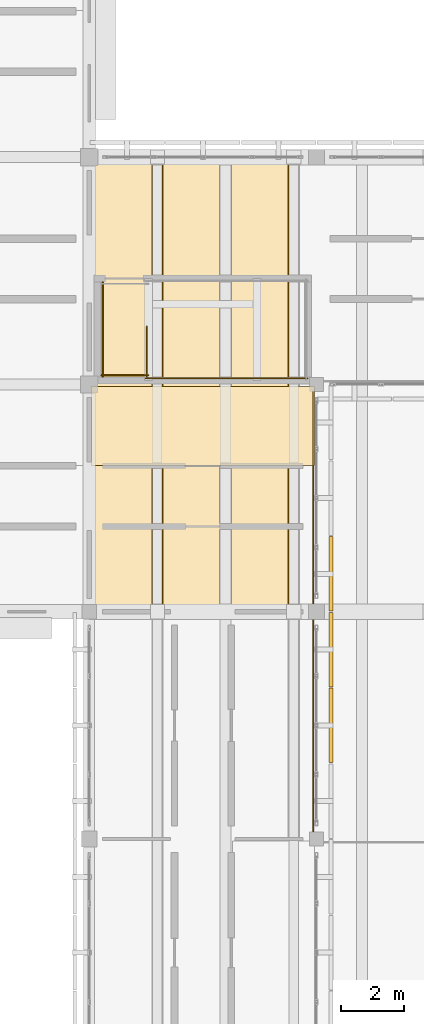
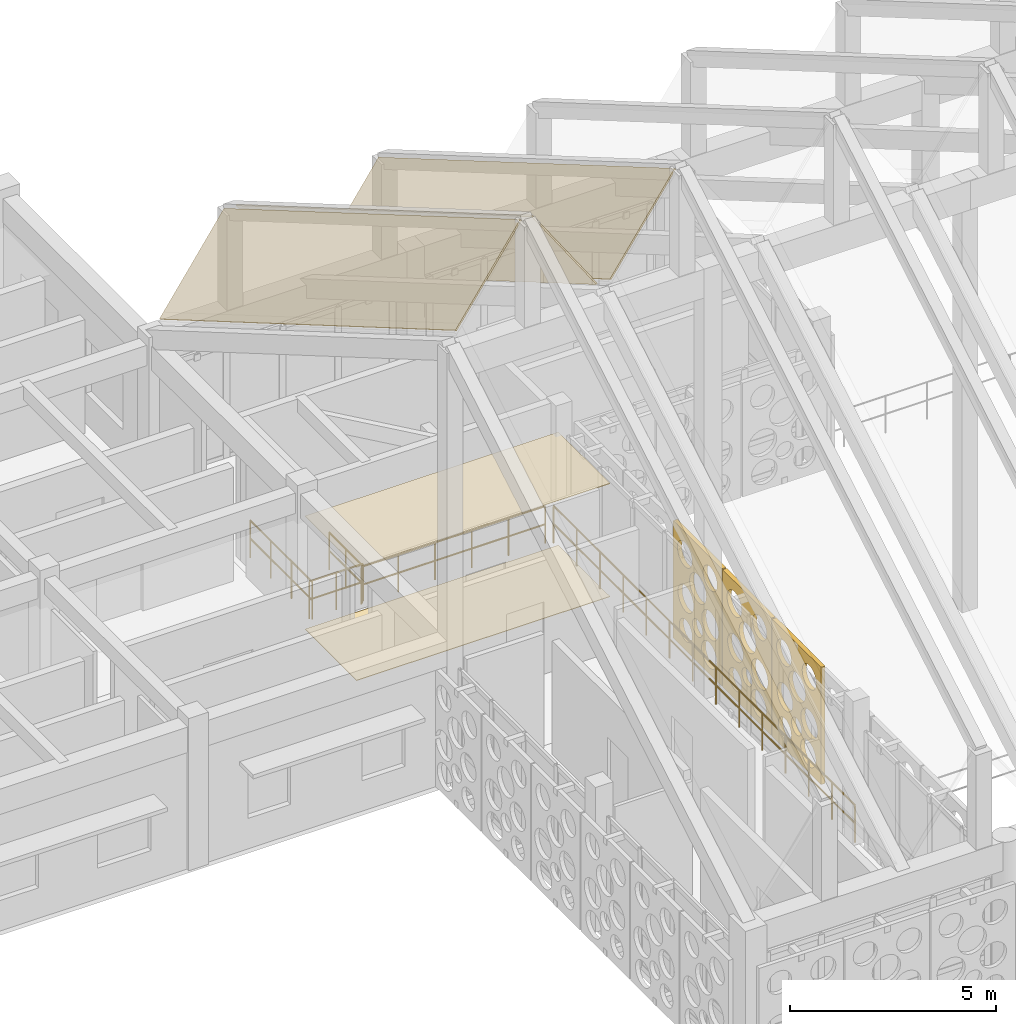
# One storey, part 156 of 171: 8 coverings, 5 railings.
"""IFC4 building model written with IfcOpenShell, lengths in metres."""

from ifc_helpers import new_model, si_unit, direction, frame, origin, origin_2d, place, context, subcontext, project, spatial, polyline, circle, outline, extrude, material, layer, layer_set, type_object, element, save


model = new_model("IFC4")

# Units and contexts
model_context = context("Model", 3, precision=1e-05, world=origin(), true_north=direction((0.0, 1.0)))
body_context = subcontext(model_context, "Body", "Model", "MODEL_VIEW")
ifc_project = project(units=[si_unit("LENGTHUNIT", "METRE"), si_unit("AREAUNIT", "SQUARE_METRE"), si_unit("VOLUMEUNIT", "CUBIC_METRE"), si_unit("PLANEANGLEUNIT", "RADIAN"), si_unit("MASSUNIT", "GRAM", prefix="KILO")], contexts=[model_context])

# Site, building, storey
site_placement = place(None, origin())
site = spatial("IfcSite", under=ifc_project, at=site_placement, CompositionType="ELEMENT")
building_placement = place(site_placement, origin())
building = spatial("IfcBuilding", under=site, at=building_placement, Name="Aldebral Square Health Centre", CompositionType="ELEMENT")
storey_placement = place(building_placement, frame((0.0, 0.0, 4.5)))
storey = spatial("IfcBuildingStorey", under=building, at=storey_placement, Name="L01", CompositionType="ELEMENT", Elevation=4.5)

# Coverings
ifc_material_1 = material(Name="Hygienic acoustic mineral ceiling tile")
ifc_layer_1 = layer(ifc_material_1, 0.02001953125, Name="Hygienic acoustic mineral ceiling tile")
ifc_layer_set_1 = layer_set([ifc_layer_1], Name="Hygienic acoustic mineral ceiling tile")
covering_type_1 = type_object("IfcCoveringType", Name="COV-CLG-AC", PredefinedType="CEILING", material=ifc_layer_set_1)
covering_1_placement = place(storey_placement, frame((0.0, 0.0, 3.340087890625)))
element("IfcCovering", 1, at=covering_1_placement, inside=storey, type_object=covering_type_1, Name="L01 Patient Information Desk 10.13N acoustic ceiling", PredefinedType="CEILING", context=body_context, shape_type="SweptSolid", body=[
    extrude(outline(polyline([(64.860107421875, 91.0400390625), (71.93994140625, 91.0400390625), (71.93994140625, 93.5400390625), (64.860107421875, 93.5400390625), (64.860107421875, 91.0400390625)])), origin(), (0.0, 0.0, 1.0), 0.02001953125),
])
ifc_material_2 = material(Name="Antimicrobial clinical vinyl flooring")
ifc_layer_2 = layer(ifc_material_2, 0.014892578125, Name="Antimicrobial clinical vinyl flooring")
ifc_layer_set_2 = layer_set([ifc_layer_2], Name="Antimicrobial clinical vinyl flooring")
covering_type_2 = type_object("IfcCoveringType", Name="COV-FLR-VN", PredefinedType="FLOORING", material=ifc_layer_set_2)
covering_2_placement = place(storey_placement, origin())
element("IfcCovering", 2, at=covering_2_placement, inside=storey, type_object=covering_type_2, Name="L01 Patient Information Desk 10.13N clinical flooring", PredefinedType="FLOORING", context=body_context, shape_type="SweptSolid", body=[
    extrude(outline(polyline([(64.860107421875, 91.0400390625), (71.93994140625, 91.0400390625), (71.93994140625, 93.5400390625), (64.860107421875, 93.5400390625), (64.860107421875, 91.0400390625)])), origin(), (0.0, 0.0, 1.0), 0.014892578125),
])
ifc_material_3 = material(Name="Insulated mineral standing-seam roofing")
ifc_layer_3 = layer(ifc_material_3, 0.0400390625, Name="Insulated mineral standing-seam roofing")
ifc_layer_set_3 = layer_set([ifc_layer_3], Name="Insulated mineral standing-seam roofing")
covering_type_3 = type_object("IfcCoveringType", Name="COV-RF-40", PredefinedType="ROOFING", material=ifc_layer_set_3)
covering_3_placement = place(storey_placement, frame((66.784912109375, 100.800048828125, 7.37451171875), z_axis=(-0.783166464322, 0.313311395424, 0.537109168288), x_axis=(-0.565586180238, 0.0, -0.824689197652)))
element("IfcCovering", 3, at=covering_3_placement, inside=storey, type_object=covering_type_3, Name="Waiting Hall folded-plate roof bay 1 NW standing-seam roofing", PredefinedType="ROOFING", context=body_context, shape_type="SweptSolid", body=[
    extrude(outline(polyline([(0.0, 0.0), (3.19989157507911, 0.0), (-3.6986255096734153, 15.100385570024907), (-6.898517084752526, 15.100385570024907), (0.0, 0.0)])), origin(), (0.0, 0.0, -1.0), 0.0400390625),
])
covering_4_placement = place(storey_placement, frame((68.945068359375, 100.800048828125, 4.735595703125), z_axis=(0.783125616046, 0.3133373167, 0.537153605085), x_axis=(-0.565638067086, 0.0, 0.82465361035)))
element("IfcCovering", 4, at=covering_4_placement, inside=storey, type_object=covering_type_3, Name="Waiting Hall folded-plate roof bay 1 NE standing-seam roofing", PredefinedType="ROOFING", context=body_context, shape_type="SweptSolid", body=[
    extrude(outline(polyline([(0.0, 0.0), (3.2000296639766255, 5.551115123125783e-17), (10.09824906129536, 15.100521563128028), (6.898219397318735, 15.100521563128028), (0.0, 0.0)])), origin(), (0.0, 0.0, -1.0), 0.0400390625),
])
covering_5_placement = place(storey_placement, frame((71.10498046875, 100.800048828125, 7.37451171875), z_axis=(-0.783125616046, 0.3133373167, 0.537153605085), x_axis=(-0.565638067086, 0.0, -0.82465361035)))
element("IfcCovering", 5, at=covering_5_placement, inside=storey, type_object=covering_type_3, Name="Waiting Hall folded-plate roof bay 2 NW standing-seam roofing", PredefinedType="ROOFING", context=body_context, shape_type="SweptSolid", body=[
    extrude(outline(polyline([(0.0, 0.0), (3.2000296639766255, -5.551115123125783e-17), (-3.6981897333421103, 15.100521563128028), (-6.898219397318735, 15.100521563128028), (0.0, 0.0)])), origin(), (0.0, 0.0, -1.0), 0.0400390625),
])
ifc_material_4 = material(Name="Cream cantera perforated stone screen", Category="masonry")
ifc_layer_4 = layer(ifc_material_4, 0.1201171875, Name="Cream cantera perforated stone screen", Category="masonry")
ifc_layer_set_4 = layer_set([ifc_layer_4], Name="Cream cantera perforated stone screen")
covering_type_4 = type_object("IfcCoveringType", Name="COV-SCR-120", PredefinedType="CLADDING", material=ifc_layer_set_4)
covering_6_placement = place(storey_placement, frame((72.4599609375, 81.6201171875, 0.0), z_axis=(0.0, 0.0, 1.0), x_axis=(0.0, 1.0, 0.0)))
element("IfcCovering", 6, at=covering_6_placement, inside=storey, type_object=covering_type_4, Name="L01 V1 circular-aperture stone screen L01-V1-09-11-E.2", PredefinedType="CLADDING", context=body_context, shape_type="SweptSolid", body=[
    extrude(outline(polyline([(0.0, 0.0), (2.35986328125, 0.0), (2.35986328125, 3.469970703125), (0.0, 3.469970703125), (0.0, 0.0)]), holes=[polyline([(0.98486328125, 0.55517578125), (0.966552734375, 0.4404296875), (0.913818359375, 0.3369140625), (0.831787109375, 0.2548828125), (0.728271484375, 0.2021484375), (0.613525390625, 0.18408203125), (0.498779296875, 0.2021484375), (0.3955078125, 0.2548828125), (0.313232421875, 0.3369140625), (0.260498046875, 0.4404296875), (0.242431640625, 0.55517578125), (0.260498046875, 0.669921875), (0.313232421875, 0.7734375), (0.3955078125, 0.85546875), (0.498779296875, 0.908203125), (0.613525390625, 0.926513671875), (0.728271484375, 0.908203125), (0.831787109375, 0.85546875), (0.913818359375, 0.7734375), (0.966552734375, 0.669921875), (0.98486328125, 0.55517578125)]), polyline([(2.059326171875, 0.58984375), (2.0439453125, 0.4931640625), (1.99951171875, 0.406005859375), (1.930419921875, 0.336669921875), (1.843017578125, 0.292236328125), (1.746337890625, 0.277099609375), (1.649658203125, 0.292236328125), (1.5625, 0.336669921875), (1.4931640625, 0.406005859375), (1.44873046875, 0.4931640625), (1.43359375, 0.58984375), (1.44873046875, 0.6865234375), (1.4931640625, 0.77392578125), (1.5625, 0.843017578125), (1.649658203125, 0.887451171875), (1.746337890625, 0.90283203125), (1.843017578125, 0.887451171875), (1.930419921875, 0.843017578125), (1.99951171875, 0.77392578125), (2.0439453125, 0.6865234375), (2.059326171875, 0.58984375)]), polyline([(0.970703125, 1.45751953125), (0.950927734375, 1.33251953125), (0.8935546875, 1.2197265625), (0.803955078125, 1.13037109375), (0.69140625, 1.072998046875), (0.56640625, 1.052978515625), (0.44140625, 1.072998046875), (0.328857421875, 1.13037109375), (0.2392578125, 1.2197265625), (0.181884765625, 1.33251953125), (0.162109375, 1.45751953125), (0.181884765625, 1.582275390625), (0.2392578125, 1.695068359375), (0.328857421875, 1.784423828125), (0.44140625, 1.841796875), (0.56640625, 1.86181640625), (0.69140625, 1.841796875), (0.803955078125, 1.784423828125), (0.8935546875, 1.695068359375), (0.950927734375, 1.582275390625), (0.970703125, 1.45751953125)]), polyline([(2.124267578125, 1.52685546875), (2.105712890625, 1.41015625), (2.052001953125, 1.3046875), (1.968505859375, 1.22119140625), (1.863037109375, 1.16748046875), (1.746337890625, 1.14892578125), (1.629638671875, 1.16748046875), (1.5244140625, 1.22119140625), (1.440673828125, 1.3046875), (1.38720703125, 1.41015625), (1.36865234375, 1.52685546875), (1.38720703125, 1.6435546875), (1.440673828125, 1.748779296875), (1.5244140625, 1.83251953125), (1.629638671875, 1.88623046875), (1.746337890625, 1.904541015625), (1.863037109375, 1.88623046875), (1.968505859375, 1.83251953125), (2.052001953125, 1.748779296875), (2.105712890625, 1.6435546875), (2.124267578125, 1.52685546875)]), polyline([(1.42431640625, 1.00634765625), (1.412353515625, 0.9306640625), (1.377685546875, 0.862548828125), (1.32373046875, 0.80859375), (1.255615234375, 0.77392578125), (1.179931640625, 0.761962890625), (1.1044921875, 0.77392578125), (1.036376953125, 0.80859375), (0.982177734375, 0.862548828125), (0.947509765625, 0.9306640625), (0.935546875, 1.00634765625), (0.947509765625, 1.081787109375), (0.982177734375, 1.14990234375), (1.036376953125, 1.2041015625), (1.1044921875, 1.23876953125), (1.179931640625, 1.250732421875), (1.255615234375, 1.23876953125), (1.32373046875, 1.2041015625), (1.377685546875, 1.14990234375), (1.412353515625, 1.081787109375), (1.42431640625, 1.00634765625)]), polyline([(1.563232421875, 2.18603515625), (1.54345703125, 2.060302734375), (1.485595703125, 1.947021484375), (1.3955078125, 1.85693359375), (1.2822265625, 1.799072265625), (1.156494140625, 1.779296875), (1.03076171875, 1.799072265625), (0.917236328125, 1.85693359375), (0.8271484375, 1.947021484375), (0.76953125, 2.060302734375), (0.74951171875, 2.18603515625), (0.76953125, 2.311767578125), (0.8271484375, 2.42529296875), (0.917236328125, 2.515380859375), (1.03076171875, 2.572998046875), (1.156494140625, 2.593017578125), (1.2822265625, 2.572998046875), (1.3955078125, 2.515380859375), (1.485595703125, 2.42529296875), (1.54345703125, 2.311767578125), (1.563232421875, 2.18603515625)]), polyline([(0.9091796875, 2.845458984375), (0.892333984375, 2.739501953125), (0.84375, 2.64404296875), (0.767822265625, 2.568115234375), (0.67236328125, 2.51953125), (0.56640625, 2.502685546875), (0.46044921875, 2.51953125), (0.364990234375, 2.568115234375), (0.2890625, 2.64404296875), (0.240478515625, 2.739501953125), (0.2236328125, 2.845458984375), (0.240478515625, 2.951416015625), (0.2890625, 3.046875), (0.364990234375, 3.12255859375), (0.46044921875, 3.17138671875), (0.56640625, 3.18798828125), (0.67236328125, 3.17138671875), (0.767822265625, 3.12255859375), (0.84375, 3.046875), (0.892333984375, 2.951416015625), (0.9091796875, 2.845458984375)]), polyline([(2.1513671875, 2.810791015625), (2.1337890625, 2.7001953125), (2.0830078125, 2.600341796875), (2.00390625, 2.521240234375), (1.904052734375, 2.470458984375), (1.793701171875, 2.452880859375), (1.68310546875, 2.470458984375), (1.583251953125, 2.521240234375), (1.504150390625, 2.600341796875), (1.453369140625, 2.7001953125), (1.435791015625, 2.810791015625), (1.453369140625, 2.921142578125), (1.504150390625, 3.02099609375), (1.583251953125, 3.10009765625), (1.68310546875, 3.15087890625), (1.793701171875, 3.16845703125), (1.904052734375, 3.15087890625), (2.00390625, 3.10009765625), (2.0830078125, 3.02099609375), (2.1337890625, 2.921142578125), (2.1513671875, 2.810791015625)])]), frame((0.0, 0.06005859375, 0.0), z_axis=(0.0, -1.0, 0.0), x_axis=(1.0, 0.0, 0.0)), (0.0, 0.0, 1.0), 0.1201171875),
])
covering_7_placement = place(storey_placement, frame((72.4599609375, 84.02001953125, 0.0), z_axis=(0.0, 0.0, 1.0), x_axis=(0.0, 1.0, 0.0)))
element("IfcCovering", 7, at=covering_7_placement, inside=storey, type_object=covering_type_4, Name="L01 V1 circular-aperture stone screen L01-V1-09-11-E.3", PredefinedType="CLADDING", context=body_context, shape_type="SweptSolid", body=[
    extrude(outline(polyline([(0.0, 0.0), (2.35986328125, 0.0), (2.35986328125, 3.469970703125), (0.0, 3.469970703125), (0.0, 0.0)]), holes=[polyline([(0.98486328125, 0.55517578125), (0.966552734375, 0.4404296875), (0.913818359375, 0.3369140625), (0.831787109375, 0.2548828125), (0.728271484375, 0.2021484375), (0.613525390625, 0.18408203125), (0.498779296875, 0.2021484375), (0.3955078125, 0.2548828125), (0.313232421875, 0.3369140625), (0.260498046875, 0.4404296875), (0.242431640625, 0.55517578125), (0.260498046875, 0.669921875), (0.313232421875, 0.7734375), (0.3955078125, 0.85546875), (0.498779296875, 0.908203125), (0.613525390625, 0.926513671875), (0.728271484375, 0.908203125), (0.831787109375, 0.85546875), (0.913818359375, 0.7734375), (0.966552734375, 0.669921875), (0.98486328125, 0.55517578125)]), polyline([(2.059326171875, 0.58984375), (2.0439453125, 0.4931640625), (1.99951171875, 0.406005859375), (1.930419921875, 0.336669921875), (1.843017578125, 0.292236328125), (1.746337890625, 0.277099609375), (1.649658203125, 0.292236328125), (1.5625, 0.336669921875), (1.4931640625, 0.406005859375), (1.44873046875, 0.4931640625), (1.43359375, 0.58984375), (1.44873046875, 0.6865234375), (1.4931640625, 0.77392578125), (1.5625, 0.843017578125), (1.649658203125, 0.887451171875), (1.746337890625, 0.90283203125), (1.843017578125, 0.887451171875), (1.930419921875, 0.843017578125), (1.99951171875, 0.77392578125), (2.0439453125, 0.6865234375), (2.059326171875, 0.58984375)]), polyline([(0.970703125, 1.45751953125), (0.950927734375, 1.33251953125), (0.8935546875, 1.2197265625), (0.803955078125, 1.13037109375), (0.69140625, 1.072998046875), (0.56640625, 1.052978515625), (0.44140625, 1.072998046875), (0.328857421875, 1.13037109375), (0.2392578125, 1.2197265625), (0.181884765625, 1.33251953125), (0.162109375, 1.45751953125), (0.181884765625, 1.582275390625), (0.2392578125, 1.695068359375), (0.328857421875, 1.784423828125), (0.44140625, 1.841796875), (0.56640625, 1.86181640625), (0.69140625, 1.841796875), (0.803955078125, 1.784423828125), (0.8935546875, 1.695068359375), (0.950927734375, 1.582275390625), (0.970703125, 1.45751953125)]), polyline([(2.124267578125, 1.52685546875), (2.105712890625, 1.41015625), (2.052001953125, 1.3046875), (1.968505859375, 1.22119140625), (1.863037109375, 1.16748046875), (1.746337890625, 1.14892578125), (1.629638671875, 1.16748046875), (1.5244140625, 1.22119140625), (1.440673828125, 1.3046875), (1.38720703125, 1.41015625), (1.36865234375, 1.52685546875), (1.38720703125, 1.6435546875), (1.440673828125, 1.748779296875), (1.5244140625, 1.83251953125), (1.629638671875, 1.88623046875), (1.746337890625, 1.904541015625), (1.863037109375, 1.88623046875), (1.968505859375, 1.83251953125), (2.052001953125, 1.748779296875), (2.105712890625, 1.6435546875), (2.124267578125, 1.52685546875)]), polyline([(1.42431640625, 1.00634765625), (1.412353515625, 0.9306640625), (1.377685546875, 0.862548828125), (1.32373046875, 0.80859375), (1.255615234375, 0.77392578125), (1.179931640625, 0.761962890625), (1.1044921875, 0.77392578125), (1.036376953125, 0.80859375), (0.982177734375, 0.862548828125), (0.947509765625, 0.9306640625), (0.935546875, 1.00634765625), (0.947509765625, 1.081787109375), (0.982177734375, 1.14990234375), (1.036376953125, 1.2041015625), (1.1044921875, 1.23876953125), (1.179931640625, 1.250732421875), (1.255615234375, 1.23876953125), (1.32373046875, 1.2041015625), (1.377685546875, 1.14990234375), (1.412353515625, 1.081787109375), (1.42431640625, 1.00634765625)]), polyline([(1.563232421875, 2.18603515625), (1.54345703125, 2.060302734375), (1.485595703125, 1.947021484375), (1.3955078125, 1.85693359375), (1.2822265625, 1.799072265625), (1.156494140625, 1.779296875), (1.03076171875, 1.799072265625), (0.917236328125, 1.85693359375), (0.8271484375, 1.947021484375), (0.76953125, 2.060302734375), (0.74951171875, 2.18603515625), (0.76953125, 2.311767578125), (0.8271484375, 2.42529296875), (0.917236328125, 2.515380859375), (1.03076171875, 2.572998046875), (1.156494140625, 2.593017578125), (1.2822265625, 2.572998046875), (1.3955078125, 2.515380859375), (1.485595703125, 2.42529296875), (1.54345703125, 2.311767578125), (1.563232421875, 2.18603515625)]), polyline([(0.9091796875, 2.845458984375), (0.892333984375, 2.739501953125), (0.84375, 2.64404296875), (0.767822265625, 2.568115234375), (0.67236328125, 2.51953125), (0.56640625, 2.502685546875), (0.46044921875, 2.51953125), (0.364990234375, 2.568115234375), (0.2890625, 2.64404296875), (0.240478515625, 2.739501953125), (0.2236328125, 2.845458984375), (0.240478515625, 2.951416015625), (0.2890625, 3.046875), (0.364990234375, 3.12255859375), (0.46044921875, 3.17138671875), (0.56640625, 3.18798828125), (0.67236328125, 3.17138671875), (0.767822265625, 3.12255859375), (0.84375, 3.046875), (0.892333984375, 2.951416015625), (0.9091796875, 2.845458984375)]), polyline([(2.1513671875, 2.810791015625), (2.1337890625, 2.7001953125), (2.0830078125, 2.600341796875), (2.00390625, 2.521240234375), (1.904052734375, 2.470458984375), (1.793701171875, 2.452880859375), (1.68310546875, 2.470458984375), (1.583251953125, 2.521240234375), (1.504150390625, 2.600341796875), (1.453369140625, 2.7001953125), (1.435791015625, 2.810791015625), (1.453369140625, 2.921142578125), (1.504150390625, 3.02099609375), (1.583251953125, 3.10009765625), (1.68310546875, 3.15087890625), (1.793701171875, 3.16845703125), (1.904052734375, 3.15087890625), (2.00390625, 3.10009765625), (2.0830078125, 3.02099609375), (2.1337890625, 2.921142578125), (2.1513671875, 2.810791015625)])]), frame((0.0, 0.06005859375, 0.0), z_axis=(0.0, -1.0, 0.0), x_axis=(1.0, 0.0, 0.0)), (0.0, 0.0, 1.0), 0.1201171875),
])
covering_8_placement = place(storey_placement, frame((72.4599609375, 86.419921875, 0.0), z_axis=(0.0, 0.0, 1.0), x_axis=(0.0, 1.0, 0.0)))
element("IfcCovering", 8, at=covering_8_placement, inside=storey, type_object=covering_type_4, Name="L01 V1 circular-aperture stone screen L01-V1-09-12-E.1", PredefinedType="CLADDING", context=body_context, shape_type="SweptSolid", body=[
    extrude(outline(polyline([(0.0, 0.0), (2.360107421875, 0.0), (2.360107421875, 3.469970703125), (0.0, 3.469970703125), (0.0, 0.0)]), holes=[polyline([(0.98486328125, 0.55517578125), (0.966552734375, 0.4404296875), (0.913818359375, 0.3369140625), (0.831787109375, 0.2548828125), (0.728271484375, 0.2021484375), (0.613525390625, 0.18408203125), (0.498779296875, 0.2021484375), (0.3955078125, 0.2548828125), (0.313232421875, 0.3369140625), (0.260498046875, 0.4404296875), (0.242431640625, 0.55517578125), (0.260498046875, 0.669921875), (0.313232421875, 0.7734375), (0.3955078125, 0.85546875), (0.498779296875, 0.908203125), (0.613525390625, 0.926513671875), (0.728271484375, 0.908203125), (0.831787109375, 0.85546875), (0.913818359375, 0.7734375), (0.966552734375, 0.669921875), (0.98486328125, 0.55517578125)]), polyline([(2.059326171875, 0.58984375), (2.0439453125, 0.4931640625), (1.99951171875, 0.406005859375), (1.930419921875, 0.336669921875), (1.843017578125, 0.292236328125), (1.746337890625, 0.277099609375), (1.649658203125, 0.292236328125), (1.5625, 0.336669921875), (1.4931640625, 0.406005859375), (1.44873046875, 0.4931640625), (1.43359375, 0.58984375), (1.44873046875, 0.6865234375), (1.4931640625, 0.77392578125), (1.5625, 0.843017578125), (1.649658203125, 0.887451171875), (1.746337890625, 0.90283203125), (1.843017578125, 0.887451171875), (1.930419921875, 0.843017578125), (1.99951171875, 0.77392578125), (2.0439453125, 0.6865234375), (2.059326171875, 0.58984375)]), polyline([(0.970703125, 1.45751953125), (0.950927734375, 1.33251953125), (0.8935546875, 1.2197265625), (0.803955078125, 1.13037109375), (0.69140625, 1.072998046875), (0.56640625, 1.052978515625), (0.44140625, 1.072998046875), (0.328857421875, 1.13037109375), (0.2392578125, 1.2197265625), (0.181884765625, 1.33251953125), (0.162109375, 1.45751953125), (0.181884765625, 1.582275390625), (0.2392578125, 1.695068359375), (0.328857421875, 1.784423828125), (0.44140625, 1.841796875), (0.56640625, 1.86181640625), (0.69140625, 1.841796875), (0.803955078125, 1.784423828125), (0.8935546875, 1.695068359375), (0.950927734375, 1.582275390625), (0.970703125, 1.45751953125)]), polyline([(2.124267578125, 1.52685546875), (2.105712890625, 1.41015625), (2.052001953125, 1.3046875), (1.968505859375, 1.22119140625), (1.863037109375, 1.16748046875), (1.746337890625, 1.14892578125), (1.629638671875, 1.16748046875), (1.5244140625, 1.22119140625), (1.440673828125, 1.3046875), (1.38720703125, 1.41015625), (1.36865234375, 1.52685546875), (1.38720703125, 1.6435546875), (1.440673828125, 1.748779296875), (1.5244140625, 1.83251953125), (1.629638671875, 1.88623046875), (1.746337890625, 1.904541015625), (1.863037109375, 1.88623046875), (1.968505859375, 1.83251953125), (2.052001953125, 1.748779296875), (2.105712890625, 1.6435546875), (2.124267578125, 1.52685546875)]), polyline([(1.42431640625, 1.00634765625), (1.412353515625, 0.9306640625), (1.377685546875, 0.862548828125), (1.32373046875, 0.80859375), (1.255615234375, 0.77392578125), (1.179931640625, 0.761962890625), (1.1044921875, 0.77392578125), (1.036376953125, 0.80859375), (0.982177734375, 0.862548828125), (0.947509765625, 0.9306640625), (0.935546875, 1.00634765625), (0.947509765625, 1.081787109375), (0.982177734375, 1.14990234375), (1.036376953125, 1.2041015625), (1.1044921875, 1.23876953125), (1.179931640625, 1.250732421875), (1.255615234375, 1.23876953125), (1.32373046875, 1.2041015625), (1.377685546875, 1.14990234375), (1.412353515625, 1.081787109375), (1.42431640625, 1.00634765625)]), polyline([(1.563232421875, 2.18603515625), (1.54345703125, 2.060302734375), (1.485595703125, 1.947021484375), (1.3955078125, 1.85693359375), (1.2822265625, 1.799072265625), (1.156494140625, 1.779296875), (1.03076171875, 1.799072265625), (0.917236328125, 1.85693359375), (0.8271484375, 1.947021484375), (0.76953125, 2.060302734375), (0.74951171875, 2.18603515625), (0.76953125, 2.311767578125), (0.8271484375, 2.42529296875), (0.917236328125, 2.515380859375), (1.03076171875, 2.572998046875), (1.156494140625, 2.593017578125), (1.2822265625, 2.572998046875), (1.3955078125, 2.515380859375), (1.485595703125, 2.42529296875), (1.54345703125, 2.311767578125), (1.563232421875, 2.18603515625)]), polyline([(0.9091796875, 2.845458984375), (0.892333984375, 2.739501953125), (0.84375, 2.64404296875), (0.767822265625, 2.568115234375), (0.67236328125, 2.51953125), (0.56640625, 2.502685546875), (0.46044921875, 2.51953125), (0.364990234375, 2.568115234375), (0.2890625, 2.64404296875), (0.240478515625, 2.739501953125), (0.2236328125, 2.845458984375), (0.240478515625, 2.951416015625), (0.2890625, 3.046875), (0.364990234375, 3.12255859375), (0.46044921875, 3.17138671875), (0.56640625, 3.18798828125), (0.67236328125, 3.17138671875), (0.767822265625, 3.12255859375), (0.84375, 3.046875), (0.892333984375, 2.951416015625), (0.9091796875, 2.845458984375)]), polyline([(2.1513671875, 2.810791015625), (2.1337890625, 2.7001953125), (2.0830078125, 2.600341796875), (2.00390625, 2.521240234375), (1.904052734375, 2.470458984375), (1.793701171875, 2.452880859375), (1.68310546875, 2.470458984375), (1.583251953125, 2.521240234375), (1.504150390625, 2.600341796875), (1.453369140625, 2.7001953125), (1.435791015625, 2.810791015625), (1.453369140625, 2.921142578125), (1.504150390625, 3.02099609375), (1.583251953125, 3.10009765625), (1.68310546875, 3.15087890625), (1.793701171875, 3.16845703125), (1.904052734375, 3.15087890625), (2.00390625, 3.10009765625), (2.0830078125, 3.02099609375), (2.1337890625, 2.921142578125), (2.1513671875, 2.810791015625)])]), frame((0.0, 0.06005859375, 0.0), z_axis=(0.0, -1.0, 0.0), x_axis=(1.0, 0.0, 0.0)), (0.0, 0.0, 1.0), 0.1201171875),
])

# Railings
ifc_material_5 = material(Name="Laminated glass and steel atrium guard", Category="steel")
railing_type_1 = type_object("IfcRailingType", Name="RL-AT-BAL", PredefinedType="BALUSTRADE", material=ifc_material_5)
railing_1_placement = place(storey_placement, frame((71.89990234375, 93.699951171875, 0.0)))
element("IfcRailing", 9, at=railing_1_placement, inside=storey, type_object=railing_type_1, Name="Waiting Hall L01 gallery balustrade 4", PredefinedType="BALUSTRADE", context=body_context, shape_type="SweptSolid", body=[
    extrude(circle(Radius=0.02392578125, at=origin_2d()), frame((0.0, 0.0, 1.09619140625), z_axis=(0.0, -1.0, 0.0), x_axis=(1.0, 0.0, 0.0)), (0.0, 0.0, 1.0), 14.599853515625),
    extrude(circle(Radius=0.02392578125, at=origin_2d()), frame((0.0, 0.0, 0.56005859375), z_axis=(0.0, -1.0, 0.0), x_axis=(1.0, 0.0, 0.0)), (0.0, 0.0, 1.0), 14.599853515625),
    extrude(circle(Radius=0.02099609375, at=origin_2d()), origin(), (0.0, 0.0, 1.0), 1.072021484375),
    extrude(circle(Radius=0.02099609375, at=origin_2d()), frame((0.0, -1.123046875, 0.0)), (0.0, 0.0, 1.0), 1.072021484375),
    extrude(circle(Radius=0.02099609375, at=origin_2d()), frame((0.0, -2.24609375, 0.0)), (0.0, 0.0, 1.0), 1.072021484375),
    extrude(circle(Radius=0.02099609375, at=origin_2d()), frame((0.0, -3.369140625, 0.0)), (0.0, 0.0, 1.0), 1.072021484375),
    extrude(circle(Radius=0.02099609375, at=origin_2d()), frame((0.0, -4.4921875, 0.0)), (0.0, 0.0, 1.0), 1.072021484375),
    extrude(circle(Radius=0.02099609375, at=origin_2d()), frame((0.0, -5.615234375, 0.0)), (0.0, 0.0, 1.0), 1.072021484375),
    extrude(circle(Radius=0.02099609375, at=origin_2d()), frame((0.0, -6.73828125, 0.0)), (0.0, 0.0, 1.0), 1.072021484375),
    extrude(circle(Radius=0.02099609375, at=origin_2d()), frame((0.0, -7.861572265625, 0.0)), (0.0, 0.0, 1.0), 1.072021484375),
    extrude(circle(Radius=0.02099609375, at=origin_2d()), frame((0.0, -8.984619140625, 0.0)), (0.0, 0.0, 1.0), 1.072021484375),
    extrude(circle(Radius=0.02099609375, at=origin_2d()), frame((0.0, -10.107666015625, 0.0)), (0.0, 0.0, 1.0), 1.072021484375),
    extrude(circle(Radius=0.02099609375, at=origin_2d()), frame((0.0, -11.230712890625, 0.0)), (0.0, 0.0, 1.0), 1.072021484375),
    extrude(circle(Radius=0.02099609375, at=origin_2d()), frame((0.0, -12.353759765625, 0.0)), (0.0, 0.0, 1.0), 1.072021484375),
    extrude(circle(Radius=0.02099609375, at=origin_2d()), frame((0.0, -13.476806640625, 0.0)), (0.0, 0.0, 1.0), 1.072021484375),
    extrude(circle(Radius=0.02099609375, at=origin_2d()), frame((0.0, -14.599853515625, 0.0)), (0.0, 0.0, 1.0), 1.072021484375),
])
ifc_material_6 = material(Name="Painted steel S355JR stair guard", Category="steel")
railing_type_2 = type_object("IfcRailingType", Name="RL-ST-GRD", PredefinedType="GUARDRAIL", material=ifc_material_6)
railing_2_placement = place(storey_placement, frame((66.6298828125, 93.840087890625, 0.0)))
element("IfcRailing", 10, at=railing_2_placement, inside=storey, type_object=railing_type_2, Name="L01 ST-07 top well guard 1", PredefinedType="GUARDRAIL", context=body_context, shape_type="SweptSolid", body=[
    extrude(circle(Radius=0.02392578125, at=origin_2d()), frame((0.0, 0.0, 1.09619140625), z_axis=(0.0, 1.0, 0.0), x_axis=(-1.0, 0.0, 0.0)), (0.0, 0.0, 1.0), 1.599853515625),
    extrude(circle(Radius=0.02392578125, at=origin_2d()), frame((0.0, 0.0, 0.56005859375), z_axis=(0.0, 1.0, 0.0), x_axis=(-1.0, 0.0, 0.0)), (0.0, 0.0, 1.0), 1.599853515625),
    extrude(circle(Radius=0.02099609375, at=origin_2d()), origin(), (0.0, 0.0, 1.0), 1.072021484375),
    extrude(circle(Radius=0.02099609375, at=origin_2d()), frame((0.0, 0.7998046875, 0.0)), (0.0, 0.0, 1.0), 1.072021484375),
    extrude(circle(Radius=0.02099609375, at=origin_2d()), frame((0.0, 1.599853515625, 0.0)), (0.0, 0.0, 1.0), 1.072021484375),
])
railing_3_placement = place(storey_placement, frame((66.580078125, 93.7900390625, 0.0)))
element("IfcRailing", 11, at=railing_3_placement, inside=storey, type_object=railing_type_2, Name="L01 ST-07 top well guard 2", PredefinedType="GUARDRAIL", context=body_context, shape_type="SweptSolid", body=[
    extrude(circle(Radius=0.02392578125, at=origin_2d()), frame((0.0, 0.0, 1.09619140625), z_axis=(1.0, 0.0, 0.0), x_axis=(0.0, 1.0, 0.0)), (0.0, 0.0, 1.0), 5.139892578125),
    extrude(circle(Radius=0.02392578125, at=origin_2d()), frame((0.0, 0.0, 0.56005859375), z_axis=(1.0, 0.0, 0.0), x_axis=(0.0, 1.0, 0.0)), (0.0, 0.0, 1.0), 5.139892578125),
    extrude(circle(Radius=0.02099609375, at=origin_2d()), origin(), (0.0, 0.0, 1.0), 1.072021484375),
    extrude(circle(Radius=0.02099609375, at=origin_2d()), frame((1.028076171875, 0.0, 0.0)), (0.0, 0.0, 1.0), 1.072021484375),
    extrude(circle(Radius=0.02099609375, at=origin_2d()), frame((2.055908203125, 0.0, 0.0)), (0.0, 0.0, 1.0), 1.072021484375),
    extrude(circle(Radius=0.02099609375, at=origin_2d()), frame((3.083984375, 0.0, 0.0)), (0.0, 0.0, 1.0), 1.072021484375),
    extrude(circle(Radius=0.02099609375, at=origin_2d()), frame((4.11181640625, 0.0, 0.0)), (0.0, 0.0, 1.0), 1.072021484375),
    extrude(circle(Radius=0.02099609375, at=origin_2d()), frame((5.139892578125, 0.0, 0.0)), (0.0, 0.0, 1.0), 1.072021484375),
])
railing_4_placement = place(storey_placement, frame((65.179931640625, 93.889892578125, 0.0)))
element("IfcRailing", 12, at=railing_4_placement, inside=storey, type_object=railing_type_2, Name="L01 ST-07 top well guard 5", PredefinedType="GUARDRAIL", context=body_context, shape_type="SweptSolid", body=[
    extrude(circle(Radius=0.02392578125, at=origin_2d()), frame((0.0, 0.0, 1.09619140625), z_axis=(1.0, 0.0, 0.0), x_axis=(0.0, 1.0, 0.0)), (0.0, 0.0, 1.0), 1.5),
    extrude(circle(Radius=0.02392578125, at=origin_2d()), frame((0.0, 0.0, 0.56005859375), z_axis=(1.0, 0.0, 0.0), x_axis=(0.0, 1.0, 0.0)), (0.0, 0.0, 1.0), 1.5),
    extrude(circle(Radius=0.02099609375, at=origin_2d()), origin(), (0.0, 0.0, 1.0), 1.072021484375),
    extrude(circle(Radius=0.02099609375, at=origin_2d()), frame((0.75, 0.0, 0.0)), (0.0, 0.0, 1.0), 1.072021484375),
    extrude(circle(Radius=0.02099609375, at=origin_2d()), frame((1.5, 0.0, 0.0)), (0.0, 0.0, 1.0), 1.072021484375),
])
railing_5_placement = place(storey_placement, frame((65.22998046875, 93.840087890625, 0.0)))
element("IfcRailing", 13, at=railing_5_placement, inside=storey, type_object=railing_type_2, Name="L01 ST-07 top well guard 7", PredefinedType="GUARDRAIL", context=body_context, shape_type="SweptSolid", body=[
    extrude(circle(Radius=0.02392578125, at=origin_2d()), frame((0.0, 0.0, 1.09619140625), z_axis=(0.0, 1.0, 0.0), x_axis=(-1.0, 0.0, 0.0)), (0.0, 0.0, 1.0), 3.0),
    extrude(circle(Radius=0.02392578125, at=origin_2d()), frame((0.0, 0.0, 0.56005859375), z_axis=(0.0, 1.0, 0.0), x_axis=(-1.0, 0.0, 0.0)), (0.0, 0.0, 1.0), 3.0),
    extrude(circle(Radius=0.02099609375, at=origin_2d()), origin(), (0.0, 0.0, 1.0), 1.072021484375),
    extrude(circle(Radius=0.02099609375, at=origin_2d()), frame((0.0, 1.0, 0.0)), (0.0, 0.0, 1.0), 1.072021484375),
    extrude(circle(Radius=0.02099609375, at=origin_2d()), frame((0.0, 2.0, 0.0)), (0.0, 0.0, 1.0), 1.072021484375),
    extrude(circle(Radius=0.02099609375, at=origin_2d()), frame((0.0, 3.0, 0.0)), (0.0, 0.0, 1.0), 1.072021484375),
])

save(model, "model.ifc")
